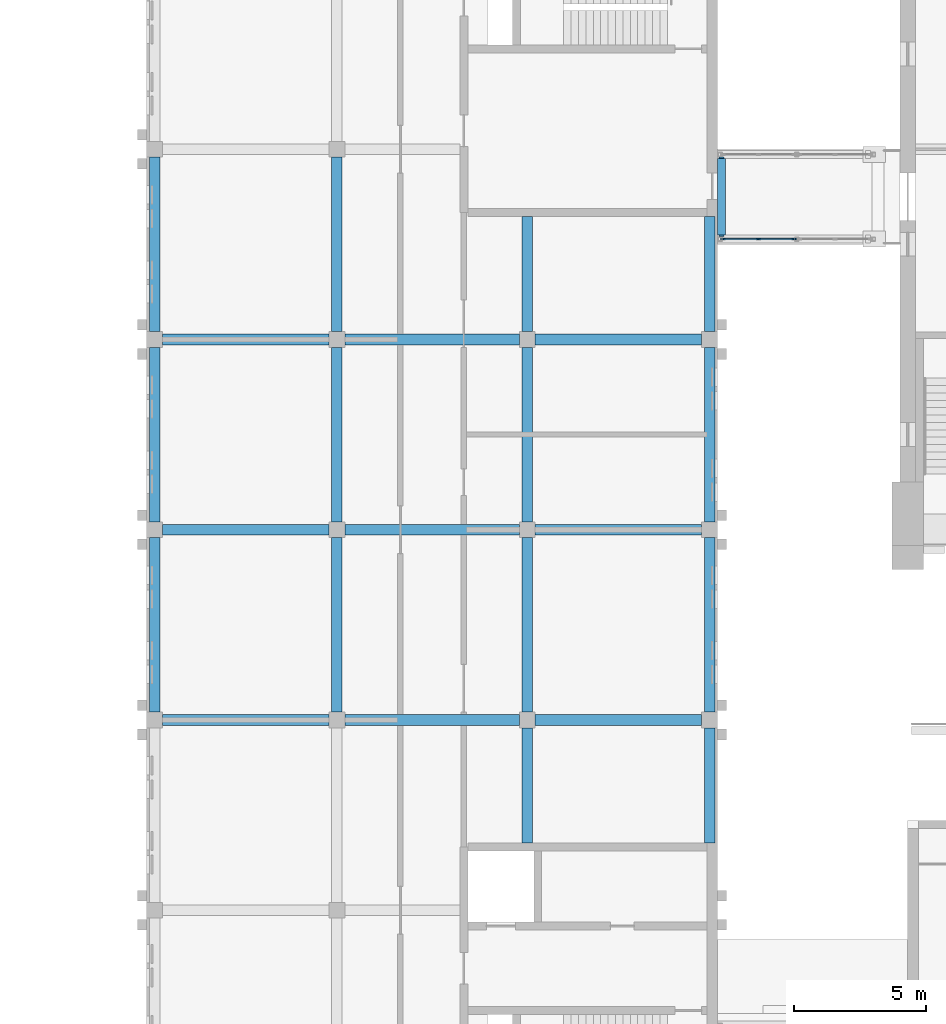
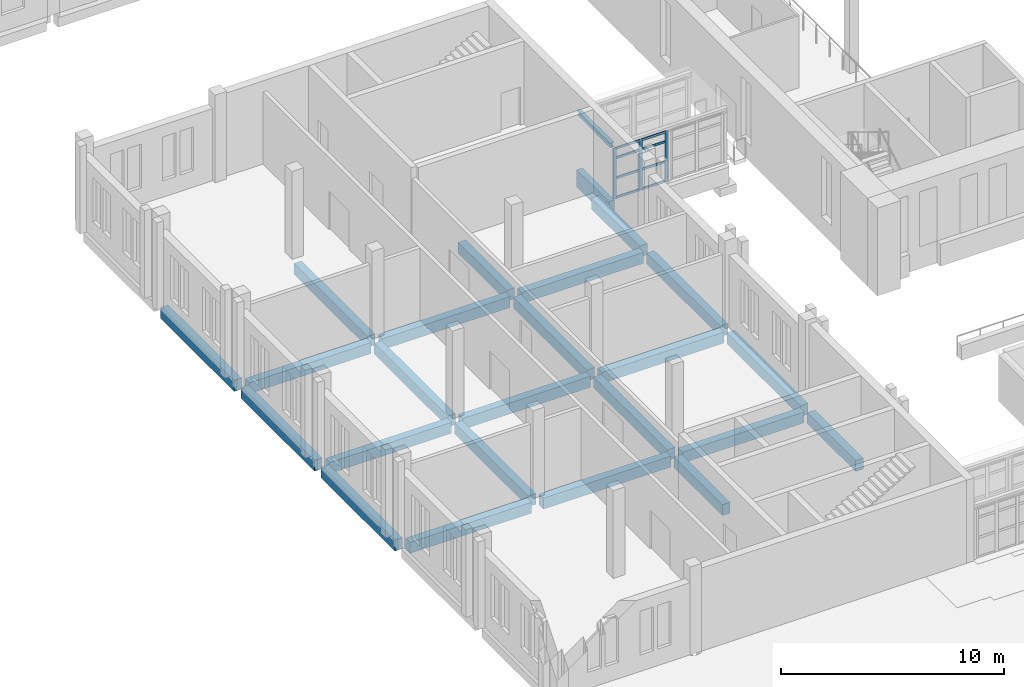
# One storey, part 33 of 131: 25 beams, 11 members, 1 element without a shape of its own.
"""IFC4 building model written with IfcOpenShell, lengths in metres."""

import ifcopenshell
import ifcopenshell.guid

model = None  # the IFC model being written
_history = None  # IfcOwnerHistory: only IFC2X3 demands one
_inside = {}  # id of a spatial element -> (the spatial element, [elements in it])
_under = {}  # id of a project, library or spatial element -> (it, [spatial elements below it])
_declared = {}  # id of a project -> (the project, [libraries it declares])
_typed = {}  # id of a type object -> (the type object, [elements of that type])
_made_of = {}  # id of a material, layer set ... -> (it, [elements and type objects made of it])


def new_model(schema):
    """Start an empty IFC model of exactly this schema.

    Asked for "IFC4X3", IfcOpenShell would pick the latest addendum, in which some entities
    have other attributes; the version numbers below select the first issue.
    IFC2X3 requires an IfcOwnerHistory on every rooted entity: one is made here for all.
    """
    global model, _history
    if schema == "IFC4X3":
        model = ifcopenshell.file(schema_version=(4, 3, 0, 0))
    else:
        model = ifcopenshell.file(schema=schema)
    _inside.clear()
    _under.clear()
    _declared.clear()
    _typed.clear()
    _made_of.clear()
    _history = None
    if model.schema == "IFC2X3":
        org = make("IfcOrganization", Name="unknown")
        user = make(
            "IfcPersonAndOrganization",
            ThePerson=make("IfcPerson", FamilyName="unknown"),
            TheOrganization=org,
        )
        app = make(
            "IfcApplication",
            ApplicationDeveloper=org,
            Version="unknown",
            ApplicationFullName="unknown",
            ApplicationIdentifier="unknown",
        )
        _history = make(
            "IfcOwnerHistory",
            OwningUser=user,
            OwningApplication=app,
            ChangeAction="ADDED",
            CreationDate=0,
        )
    return model


def make(cls, **values):
    """One entity of the class cls with the attributes given. An attribute that is None is left unset."""
    return model.create_entity(
        cls, **{name: value for name, value in values.items() if value is not None}
    )


def rooted(cls, **values):
    """An entity with a GlobalId (a new one), such as an element, a storey or a relation."""
    return make(cls, GlobalId=ifcopenshell.guid.new(), OwnerHistory=_history, **values)


def si_unit(unit_type, name, prefix=None):
    """IfcSIUnit, for example si_unit("LENGTHUNIT", "METRE", prefix="MILLI")."""
    return make("IfcSIUnit", UnitType=unit_type, Prefix=prefix, Name=name)


def assignment(units):
    """IfcUnitAssignment: the units of a project."""
    return None if units is None else make("IfcUnitAssignment", Units=units)


def point(xyz):
    """IfcCartesianPoint."""
    return None if xyz is None else make("IfcCartesianPoint", Coordinates=xyz)


def direction(xyz):
    """IfcDirection."""
    return None if xyz is None else make("IfcDirection", DirectionRatios=xyz)


def frame(location, z_axis=None, x_axis=None):
    """IfcAxis2Placement3D, a coordinate frame: its origin and axes. An axis left out is left unset."""
    return make(
        "IfcAxis2Placement3D",
        Location=point(location),
        Axis=direction(z_axis),
        RefDirection=direction(x_axis),
    )


def frame_2d(location, x_axis=None):
    """IfcAxis2Placement2D, a coordinate frame in the plane: its origin and x axis."""
    return make(
        "IfcAxis2Placement2D", Location=point(location), RefDirection=direction(x_axis)
    )


def origin():
    """The frame at (0, 0, 0) with its axes left unset."""
    return frame((0.0, 0.0, 0.0))


def origin_2d():
    """The frame at (0, 0) in the plane with its x axis left unset."""
    return frame_2d((0.0, 0.0))


def place(relative_to, where):
    """IfcLocalPlacement: puts the frame where relative to a parent placement (None: the world)."""
    return make(
        "IfcLocalPlacement", PlacementRelTo=relative_to, RelativePlacement=where
    )


def context(
    kind, dimensions, precision=None, world=None, true_north=None, identifier=None
):
    """IfcGeometricRepresentationContext, for example the 3D "Model" context."""
    return make(
        "IfcGeometricRepresentationContext",
        ContextIdentifier=identifier,
        ContextType=kind,
        CoordinateSpaceDimension=dimensions,
        Precision=precision,
        WorldCoordinateSystem=world,
        TrueNorth=true_north,
    )


def subcontext(parent, identifier, kind, view, scale=None):
    """IfcGeometricRepresentationSubContext, for example "Body" below "Model"."""
    return make(
        "IfcGeometricRepresentationSubContext",
        ContextIdentifier=identifier,
        ContextType=kind,
        ParentContext=parent,
        TargetScale=scale,
        TargetView=view,
    )


def project(units=None, contexts=None):
    """IfcProject with its units and contexts."""
    return rooted(
        "IfcProject",
        Name="project",
        RepresentationContexts=contexts,
        UnitsInContext=assignment(units),
    )


def spatial(cls, under=None, at=None, **own):
    """A site, building, storey or space (cls), placed at a placement, below another one or the project."""
    s = rooted(cls, ObjectPlacement=at, **own)
    if under is not None:
        _under.setdefault(under.id(), (under, []))[1].append(s)
    return s


def profile(cls, at=None, kind="AREA", **sizes):
    """A parametric profile (cls). Its sizes go by their IFC names, for example OverallWidth=200.0."""
    return make(cls, ProfileType=kind, Position=at, **sizes)


def rectangle(**sizes):
    """IfcRectangleProfileDef."""
    return profile("IfcRectangleProfileDef", **sizes)


def i_section(**sizes):
    """IfcIShapeProfileDef."""
    return profile("IfcIShapeProfileDef", **sizes)


def extrude(swept, where, along, depth):
    """IfcExtrudedAreaSolid: the profile swept, set in the frame where, extruded along a direction by depth."""
    return make(
        "IfcExtrudedAreaSolid",
        SweptArea=swept,
        Position=where,
        ExtrudedDirection=direction(along),
        Depth=depth,
    )


def shape(context_of_items, identifier, shape_type, items):
    """IfcShapeRepresentation: the items that make up one representation, for example the "Body"."""
    return make(
        "IfcShapeRepresentation",
        ContextOfItems=context_of_items,
        RepresentationIdentifier=identifier,
        RepresentationType=shape_type,
        Items=items,
    )


def material(Name=None, Category=None):
    """IfcMaterial."""
    return make("IfcMaterial", Name=Name, Category=Category)


def layer(
    of_material, thickness, ventilated=None, Name=None, Category=None, Priority=None
):
    """IfcMaterialLayer: one layer of a wall or slab, of a material (None: an air gap)."""
    return make(
        "IfcMaterialLayer",
        Material=of_material,
        LayerThickness=thickness,
        IsVentilated=ventilated,
        Name=Name,
        Category=Category,
        Priority=Priority,
    )


def layer_set(layers, Name=None):
    """IfcMaterialLayerSet."""
    return make("IfcMaterialLayerSet", MaterialLayers=layers, LayerSetName=Name)


def material_profile(
    of_material, cross_section, Name=None, Category=None, Priority=None
):
    """IfcMaterialProfile: a cross section and its material."""
    return make(
        "IfcMaterialProfile",
        Name=Name,
        Material=of_material,
        Profile=cross_section,
        Priority=Priority,
        Category=Category,
    )


def profile_set(profiles, Name=None, composite=None):
    """IfcMaterialProfileSet."""
    return make(
        "IfcMaterialProfileSet",
        Name=Name,
        MaterialProfiles=profiles,
        CompositeProfile=composite,
    )


def made_of(thing, what):
    """Note that an element or type object is made of a material, layer set ...; save() writes the relation."""
    if what is not None:
        _made_of.setdefault(what.id(), (what, []))[1].append(thing)
    return thing


def type_object(cls, material=None, **own):
    """A type object (cls), such as IfcWallType, which elements share."""
    return made_of(rooted(cls, **own), material)


def element(
    cls,
    number,
    at=None,
    inside=None,
    cuts=None,
    type_object=None,
    material=None,
    context=None,
    identifier="Body",
    shape_type=None,
    held_by="IfcProductDefinitionShape",
    body=None,
    shapes=None,
    **own,
):
    """One element of the class cls, such as IfcWall. Its Tag is "e" and its number.

    at: its placement. inside: the storey or other place that contains it. cuts: it is an
    opening in that element (IfcRelVoidsElement). A single representation is given by context,
    identifier, shape_type and body (its items); several are given by shapes. held_by: the class
    of the entity that holds the representations. save() writes the other relations.
    """
    e = rooted(cls, Tag="e%d" % number, ObjectPlacement=at, **own)
    if body is not None:
        shapes = [shape(context, identifier, shape_type, body)]
    if shapes is not None:
        e.Representation = make(held_by, Representations=shapes)
    if inside is not None:
        _inside.setdefault(inside.id(), (inside, []))[1].append(e)
    if cuts is not None:
        rooted(
            "IfcRelVoidsElement", RelatingBuildingElement=cuts, RelatedOpeningElement=e
        )
    if type_object is not None:
        _typed.setdefault(type_object.id(), (type_object, []))[1].append(e)
    return made_of(e, material)


def aggregate(whole, parts):
    """IfcRelAggregates: a whole, such as a stair, and the parts it consists of."""
    return rooted("IfcRelAggregates", RelatingObject=whole, RelatedObjects=parts)


def save(model, path):
    """Write the relations noted so far, then the file.

    IfcRelAggregates (storeys below a building ...), IfcRelContainedInSpatialStructure (elements
    in a storey), IfcRelDefinesByType, IfcRelAssociatesMaterial and IfcRelDeclares: one each for
    every whole, place, type object, material and project.
    """
    for whole, parts in _under.values():
        aggregate(whole, parts)
    for where, things in _inside.values():
        rooted(
            "IfcRelContainedInSpatialStructure",
            RelatedElements=things,
            RelatingStructure=where,
        )
    for kind, things in _typed.values():
        rooted("IfcRelDefinesByType", RelatedObjects=things, RelatingType=kind)
    for what, things in _made_of.values():
        rooted("IfcRelAssociatesMaterial", RelatedObjects=things, RelatingMaterial=what)
    for by, libraries in _declared.values():
        rooted("IfcRelDeclares", RelatingContext=by, RelatedDefinitions=libraries)
    model.write(path)


model = new_model("IFC4")

# Units and contexts
model_context = context("Model", 3, precision=1e-05, world=origin(), true_north=direction((0.0, 1.0)))
body_context = subcontext(model_context, "Body", "Model", "MODEL_VIEW")
ifc_project = project(units=[si_unit("LENGTHUNIT", "METRE"), si_unit("AREAUNIT", "SQUARE_METRE"), si_unit("VOLUMEUNIT", "CUBIC_METRE"), si_unit("PLANEANGLEUNIT", "RADIAN"), si_unit("MASSUNIT", "GRAM", prefix="KILO")], contexts=[model_context])

# Site, building, storey
site_placement = place(None, origin())
site = spatial("IfcSite", under=ifc_project, at=site_placement, CompositionType="ELEMENT")
building_placement = place(site_placement, origin())
building = spatial("IfcBuilding", under=site, at=building_placement, Name="Alderwick Market Hall", CompositionType="ELEMENT")
storey_placement = place(building_placement, frame((0.0, 0.0, 4.800048828125)))
storey = spatial("IfcBuildingStorey", under=building, at=storey_placement, Name="L00", CompositionType="ELEMENT", Elevation=4.800048828125)

# Beams
ifc_material_1 = material(Name="Concrete 5000 psi (f'c 35 MPa)", Category="concrete")
ifc_material_profile_1 = material_profile(ifc_material_1, rectangle(XDim=0.39990234375, YDim=0.60009765625, at=origin_2d()), Name="B RC Beam 400x600")
ifc_profile_set_1 = profile_set([ifc_material_profile_1], Name="Concrete 5000 psi (f'c 35 MPa)")
beam_type_1 = type_object("IfcBeamType", Name="B RC Beam 400x600", PredefinedType="BEAM", material=ifc_profile_set_1)
beam_1_placement = place(storey_placement, frame((22.199951171875, 43.199951171875, -0.550048828125), z_axis=(1.0, 0.0, 0.0), x_axis=(0.0, 1.0, 0.0)))
element("IfcBeam", 1, at=beam_1_placement, inside=storey, type_object=beam_type_1, Name="B.S.beam.L00.u144-0006", PredefinedType="BEAM", context=body_context, shape_type="SweptSolid", body=[
    extrude(rectangle(XDim=0.39990234375, YDim=0.60009765625, at=origin_2d()), origin(), (0.0, 0.0, 1.0), 6.300048828125),
])
beam_2_placement = place(storey_placement, frame((29.10009765625, 43.199951171875, -0.550048828125), z_axis=(1.0, 0.0, 0.0), x_axis=(0.0, 1.0, 0.0)))
element("IfcBeam", 2, at=beam_2_placement, inside=storey, type_object=beam_type_1, Name="B.S.beam.L00.u144-0075", PredefinedType="BEAM", context=body_context, shape_type="SweptSolid", body=[
    extrude(rectangle(XDim=0.39990234375, YDim=0.60009765625, at=origin_2d()), origin(), (0.0, 0.0, 1.0), 6.599853515625),
])
for number, where, z_axis, x_axis, name in (
    (3, (36.300048828125, 43.199951171875, -0.550048828125), (1.0, 0.0, 0.0), (0.0, 1.0, 0.0), "B.S.beam.L00.u144-0147"),
    (4, (22.199951171875, 50.39990234375, -0.550048828125), (1.0, 0.0, 0.0), (0.0, 1.0, 0.0), "B.S.beam.L00.u216-0006"),
):
    element("IfcBeam", number, at=place(storey_placement, frame(where, z_axis=z_axis, x_axis=x_axis)), inside=storey, type_object=beam_type_1, Name=name, PredefinedType="BEAM", context=body_context, shape_type="SweptSolid", body=[
        extrude(rectangle(XDim=0.39990234375, YDim=0.60009765625, at=origin_2d()), origin(), (0.0, 0.0, 1.0), 6.300048828125),
    ])
beam_3_placement = place(storey_placement, frame((29.10009765625, 50.39990234375, -0.550048828125), z_axis=(1.0, 0.0, 0.0), x_axis=(0.0, 1.0, 0.0)))
element("IfcBeam", 5, at=beam_3_placement, inside=storey, type_object=beam_type_1, Name="B.S.beam.L00.u216-0075", PredefinedType="BEAM", context=body_context, shape_type="SweptSolid", body=[
    extrude(rectangle(XDim=0.39990234375, YDim=0.60009765625, at=origin_2d()), origin(), (0.0, 0.0, 1.0), 6.599853515625),
])
for number, where, z_axis, x_axis, name in (
    (6, (36.300048828125, 50.39990234375, -0.550048828125), (1.0, 0.0, 0.0), (0.0, 1.0, 0.0), "B.S.beam.L00.u216-0147"),
    (7, (22.199951171875, 57.60009765625, -0.550048828125), (1.0, 0.0, 0.0), (0.0, 1.0, 0.0), "B.S.beam.L00.u288-0006"),
):
    element("IfcBeam", number, at=place(storey_placement, frame(where, z_axis=z_axis, x_axis=x_axis)), inside=storey, type_object=beam_type_1, Name=name, PredefinedType="BEAM", context=body_context, shape_type="SweptSolid", body=[
        extrude(rectangle(XDim=0.39990234375, YDim=0.60009765625, at=origin_2d()), origin(), (0.0, 0.0, 1.0), 6.300048828125),
    ])
beam_4_placement = place(storey_placement, frame((29.10009765625, 57.60009765625, -0.550048828125), z_axis=(1.0, 0.0, 0.0), x_axis=(0.0, 1.0, 0.0)))
element("IfcBeam", 8, at=beam_4_placement, inside=storey, type_object=beam_type_1, Name="B.S.beam.L00.u288-0075", PredefinedType="BEAM", context=body_context, shape_type="SweptSolid", body=[
    extrude(rectangle(XDim=0.39990234375, YDim=0.60009765625, at=origin_2d()), origin(), (0.0, 0.0, 1.0), 6.599853515625),
])
beam_5_placement = place(storey_placement, frame((36.300048828125, 57.60009765625, -0.550048828125), z_axis=(1.0, 0.0, 0.0), x_axis=(0.0, 1.0, 0.0)))
element("IfcBeam", 9, at=beam_5_placement, inside=storey, type_object=beam_type_1, Name="B.S.beam.L00.u288-0147", PredefinedType="BEAM", context=body_context, shape_type="SweptSolid", body=[
    extrude(rectangle(XDim=0.39990234375, YDim=0.60009765625, at=origin_2d()), origin(), (0.0, 0.0, 1.0), 6.300048828125),
])
for number, where, z_axis, x_axis, name in (
    (10, (21.89990234375, 43.5, -0.550048828125), (0.0, 1.0, 0.0), (-1.0, 0.0, 0.0), "B.S.beam.L00.w003-0147"),
    (11, (21.89990234375, 50.699951171875, -0.550048828125), (0.0, 1.0, 0.0), (-1.0, 0.0, 0.0), "B.S.beam.L00.w003-0219"),
    (12, (21.89990234375, 57.89990234375, -0.550048828125), (0.0, 1.0, 0.0), (-1.0, 0.0, 0.0), "B.S.beam.L00.w003-0291"),
    (13, (28.800048828125, 43.5, -0.550048828125), (0.0, 1.0, 0.0), (-1.0, 0.0, 0.0), "B.S.beam.L00.w072-0147"),
    (14, (28.800048828125, 50.699951171875, -0.550048828125), (0.0, 1.0, 0.0), (-1.0, 0.0, 0.0), "B.S.beam.L00.w072-0219"),
    (15, (28.800048828125, 57.89990234375, -0.550048828125), (0.0, 1.0, 0.0), (-1.0, 0.0, 0.0), "B.S.beam.L00.w072-0291"),
):
    element("IfcBeam", number, at=place(storey_placement, frame(where, z_axis=z_axis, x_axis=x_axis)), inside=storey, type_object=beam_type_1, Name=name, PredefinedType="BEAM", context=body_context, shape_type="SweptSolid", body=[
        extrude(rectangle(XDim=0.39990234375, YDim=0.60009765625, at=origin_2d()), origin(), (0.0, 0.0, 1.0), 6.60009765625),
    ])
beam_6_placement = place(storey_placement, frame((36.0, 38.550048828125, -0.550048828125), z_axis=(0.0, 1.0, 0.0), x_axis=(-1.0, 0.0, 0.0)))
element("IfcBeam", 16, at=beam_6_placement, inside=storey, type_object=beam_type_1, Name="B.S.beam.L00.w144-0098", PredefinedType="BEAM", context=body_context, shape_type="SweptSolid", body=[
    extrude(rectangle(XDim=0.39990234375, YDim=0.60009765625, at=origin_2d()), origin(), (0.0, 0.0, 1.0), 4.349853515625),
])
for number, where, z_axis, x_axis, name in (
    (17, (36.0, 43.5, -0.550048828125), (0.0, 1.0, 0.0), (-1.0, 0.0, 0.0), "B.S.beam.L00.w144-0147"),
    (18, (36.0, 50.699951171875, -0.550048828125), (0.0, 1.0, 0.0), (-1.0, 0.0, 0.0), "B.S.beam.L00.w144-0219"),
):
    element("IfcBeam", number, at=place(storey_placement, frame(where, z_axis=z_axis, x_axis=x_axis)), inside=storey, type_object=beam_type_1, Name=name, PredefinedType="BEAM", context=body_context, shape_type="SweptSolid", body=[
        extrude(rectangle(XDim=0.39990234375, YDim=0.60009765625, at=origin_2d()), origin(), (0.0, 0.0, 1.0), 6.60009765625),
    ])
beam_7_placement = place(storey_placement, frame((36.0, 57.89990234375, -0.550048828125), z_axis=(0.0, 1.0, 0.0), x_axis=(-1.0, 0.0, 0.0)))
element("IfcBeam", 19, at=beam_7_placement, inside=storey, type_object=beam_type_1, Name="B.S.beam.L00.w144-0291", PredefinedType="BEAM", context=body_context, shape_type="SweptSolid", body=[
    extrude(rectangle(XDim=0.39990234375, YDim=0.60009765625, at=origin_2d()), origin(), (0.0, 0.0, 1.0), 4.35009765625),
])
beam_8_placement = place(storey_placement, frame((42.89990234375, 38.550048828125, -0.550048828125), z_axis=(0.0, 1.0, 0.0), x_axis=(-1.0, 0.0, 0.0)))
element("IfcBeam", 20, at=beam_8_placement, inside=storey, type_object=beam_type_1, Name="B.S.beam.L00.w213-0098", PredefinedType="BEAM", context=body_context, shape_type="SweptSolid", body=[
    extrude(rectangle(XDim=0.39990234375, YDim=0.60009765625, at=origin_2d()), origin(), (0.0, 0.0, 1.0), 4.349853515625),
])
for number, where, z_axis, x_axis, name in (
    (21, (42.89990234375, 43.5, -0.550048828125), (0.0, 1.0, 0.0), (-1.0, 0.0, 0.0), "B.S.beam.L00.w213-0147"),
    (22, (42.89990234375, 50.699951171875, -0.550048828125), (0.0, 1.0, 0.0), (-1.0, 0.0, 0.0), "B.S.beam.L00.w213-0219"),
):
    element("IfcBeam", number, at=place(storey_placement, frame(where, z_axis=z_axis, x_axis=x_axis)), inside=storey, type_object=beam_type_1, Name=name, PredefinedType="BEAM", context=body_context, shape_type="SweptSolid", body=[
        extrude(rectangle(XDim=0.39990234375, YDim=0.60009765625, at=origin_2d()), origin(), (0.0, 0.0, 1.0), 6.60009765625),
    ])
beam_9_placement = place(storey_placement, frame((42.89990234375, 57.89990234375, -0.550048828125), z_axis=(0.0, 1.0, 0.0), x_axis=(-1.0, 0.0, 0.0)))
element("IfcBeam", 23, at=beam_9_placement, inside=storey, type_object=beam_type_1, Name="B.S.beam.L00.w213-0291", PredefinedType="BEAM", context=body_context, shape_type="SweptSolid", body=[
    extrude(rectangle(XDim=0.39990234375, YDim=0.60009765625, at=origin_2d()), origin(), (0.0, 0.0, 1.0), 4.35009765625),
])

# Curtain wall, members
ifc_material_2 = material(Name="Aluminium frame", Category="aluminium")
ifc_layer = layer(ifc_material_2, 0.10009765625)
ifc_layer_set = layer_set([ifc_layer], Name="Aluminium frame")
curtain_wall_type = type_object("IfcCurtainWallType", Name="P Curtain Wall 100", PredefinedType="NOTDEFINED", material=ifc_layer_set)
curtain_wall_placement = place(storey_placement, origin())
curtain_wall = element("IfcCurtainWall", 24, at=curtain_wall_placement, inside=storey, type_object=curtain_wall_type, Name="P.P6.cw.a0", PredefinedType="NOTDEFINED")
ifc_material_profile_2 = material_profile(ifc_material_2, rectangle(XDim=0.06005859375, YDim=0.159912109375, at=origin_2d()), Name="P Mullion 60x160")
ifc_profile_set_2 = profile_set([ifc_material_profile_2], Name="Aluminium frame")
member_type_1 = type_object("IfcMemberType", Name="P Mullion 60x160", PredefinedType="MULLION", material=ifc_profile_set_2)
member_1_placement = place(storey_placement, frame((43.406005859375, 61.39990234375, 0.0), z_axis=(0.0, 0.0, 1.0), x_axis=(0.0, 1.0, 0.0)))
member_1 = element("IfcMember", 25, at=member_1_placement, type_object=member_type_1, Name="P-CW6a0 mullion 1", PredefinedType="MULLION", context=body_context, shape_type="SweptSolid", body=[
    extrude(rectangle(XDim=0.06005859375, YDim=0.159912109375, at=origin_2d()), origin(), (0.0, 0.0, 1.0), 2.7529296875),
])
member_2_placement = place(storey_placement, frame((44.75, 61.39990234375, 0.0), z_axis=(0.0, 0.0, 1.0), x_axis=(0.0, 1.0, 0.0)))
member_2 = element("IfcMember", 26, at=member_2_placement, type_object=member_type_1, Name="P-CW6a0 mullion 2", PredefinedType="MULLION", context=body_context, shape_type="SweptSolid", body=[
    extrude(rectangle(XDim=0.06005859375, YDim=0.159912109375, at=origin_2d()), origin(), (0.0, 0.0, 1.0), 2.7529296875),
])
member_3_placement = place(storey_placement, frame((46.093994140625, 61.39990234375, 0.0), z_axis=(0.0, 0.0, 1.0), x_axis=(0.0, 1.0, 0.0)))
member_3 = element("IfcMember", 27, at=member_3_placement, type_object=member_type_1, Name="P-CW6a0 mullion 3", PredefinedType="MULLION", context=body_context, shape_type="SweptSolid", body=[
    extrude(rectangle(XDim=0.06005859375, YDim=0.159912109375, at=origin_2d()), origin(), (0.0, 0.0, 1.0), 2.7529296875),
])

# Beams
ifc_material_profile_3 = material_profile(ifc_material_1, rectangle(XDim=0.300048828125, YDim=0.949951171875, at=origin_2d()), Name="P RC Edge Girder 300x950")
ifc_profile_set_3 = profile_set([ifc_material_profile_3], Name="Concrete 5000 psi (f'c 35 MPa)")
beam_type_2 = type_object("IfcBeamType", Name="P RC Edge Girder 300x950", PredefinedType="BEAM", material=ifc_profile_set_3)
beam_10_placement = place(storey_placement, frame((43.35009765625, 61.550048828125, -0.675048828125), z_axis=(0.0, 1.0, 0.0), x_axis=(-1.0, 0.0, 0.0)))
element("IfcBeam", 28, at=beam_10_placement, inside=storey, type_object=beam_type_2, Name="Passage tie girder", PredefinedType="BEAM", context=body_context, shape_type="SweptSolid", body=[
    extrude(rectangle(XDim=0.300048828125, YDim=0.949951171875, at=origin_2d()), origin(), (0.0, 0.0, 1.0), 2.89990234375),
])
ifc_material_3 = material(Name="Steel ASTM A992 Grade 50", Category="steel")
ifc_material_profile_4 = material_profile(ifc_material_3, i_section(OverallWidth=0.201904296875, OverallDepth=0.2470703125, WebThickness=0.00732421875, FlangeThickness=0.010986328125, at=origin_2d()), Name="W250x49")
ifc_profile_set_4 = profile_set([ifc_material_profile_4], Name="Steel ASTM A992 Grade 50")
beam_type_3 = type_object("IfcBeamType", Name="P Roof Beam W250x49", PredefinedType="BEAM", material=ifc_profile_set_4)
beam_11_placement = place(storey_placement, frame((43.35009765625, 61.5009765625, 2.87646484375), z_axis=(0.0, 1.0, 0.0), x_axis=(-1.0, 0.0, 0.0)))
element("IfcBeam", 29, at=beam_11_placement, inside=storey, type_object=beam_type_3, Name="Passage tie beam", PredefinedType="BEAM", context=body_context, shape_type="SweptSolid", body=[
    extrude(i_section(OverallWidth=0.201904296875, OverallDepth=0.2470703125, WebThickness=0.00732421875, FlangeThickness=0.010986328125, at=origin_2d()), origin(), (0.0, 0.0, 1.0), 2.998046875),
])

# Member
ifc_material_profile_5 = material_profile(ifc_material_2, rectangle(XDim=0.06005859375, YDim=0.1201171875, at=origin_2d()), Name="P Transom 60x120")
ifc_profile_set_5 = profile_set([ifc_material_profile_5], Name="Aluminium frame")
member_type_2 = type_object("IfcMemberType", Name="P Transom 60x120", PredefinedType="USERDEFINED", material=ifc_profile_set_5)
member_4_placement = place(storey_placement, frame((43.43603515625, 61.39990234375, 0.030029296875), z_axis=(1.0, 0.0, 0.0), x_axis=(0.0, 1.0, 0.0)))
member_4 = element("IfcMember", 30, at=member_4_placement, type_object=member_type_2, Name="P-CW6a0 transom 1.1", ObjectType="TRANSOM", PredefinedType="USERDEFINED", context=body_context, shape_type="SweptSolid", body=[
    extrude(rectangle(XDim=0.06005859375, YDim=0.1201171875, at=origin_2d()), origin(), (0.0, 0.0, 1.0), 1.283935546875),
])

member_5_placement = place(storey_placement, frame((43.43603515625, 61.39990234375, 1.099853515625), z_axis=(1.0, 0.0, 0.0), x_axis=(0.0, 1.0, 0.0)))
member_5 = element("IfcMember", 31, at=member_5_placement, type_object=member_type_2, Name="P-CW6a0 transom 1.2", ObjectType="TRANSOM", PredefinedType="USERDEFINED", context=body_context, shape_type="SweptSolid", body=[
    extrude(rectangle(XDim=0.06005859375, YDim=0.1201171875, at=origin_2d()), origin(), (0.0, 0.0, 1.0), 1.283935546875),
])

member_6_placement = place(storey_placement, frame((43.43603515625, 61.39990234375, 2.199951171875), z_axis=(1.0, 0.0, 0.0), x_axis=(0.0, 1.0, 0.0)))
member_6 = element("IfcMember", 32, at=member_6_placement, type_object=member_type_2, Name="P-CW6a0 transom 1.3", ObjectType="TRANSOM", PredefinedType="USERDEFINED", context=body_context, shape_type="SweptSolid", body=[
    extrude(rectangle(XDim=0.06005859375, YDim=0.1201171875, at=origin_2d()), origin(), (0.0, 0.0, 1.0), 1.283935546875),
])

member_7_placement = place(storey_placement, frame((43.43603515625, 61.39990234375, 2.722900390625), z_axis=(1.0, 0.0, 0.0), x_axis=(0.0, 1.0, 0.0)))
member_7 = element("IfcMember", 33, at=member_7_placement, type_object=member_type_2, Name="P-CW6a0 transom 1.4", ObjectType="TRANSOM", PredefinedType="USERDEFINED", context=body_context, shape_type="SweptSolid", body=[
    extrude(rectangle(XDim=0.06005859375, YDim=0.1201171875, at=origin_2d()), origin(), (0.0, 0.0, 1.0), 1.283935546875),
])

member_8_placement = place(storey_placement, frame((44.780029296875, 61.39990234375, 0.030029296875), z_axis=(1.0, 0.0, 0.0), x_axis=(0.0, 1.0, 0.0)))
member_8 = element("IfcMember", 34, at=member_8_placement, type_object=member_type_2, Name="P-CW6a0 transom 2.1", ObjectType="TRANSOM", PredefinedType="USERDEFINED", context=body_context, shape_type="SweptSolid", body=[
    extrude(rectangle(XDim=0.06005859375, YDim=0.1201171875, at=origin_2d()), origin(), (0.0, 0.0, 1.0), 1.283935546875),
])

member_9_placement = place(storey_placement, frame((44.780029296875, 61.39990234375, 1.099853515625), z_axis=(1.0, 0.0, 0.0), x_axis=(0.0, 1.0, 0.0)))
member_9 = element("IfcMember", 35, at=member_9_placement, type_object=member_type_2, Name="P-CW6a0 transom 2.2", ObjectType="TRANSOM", PredefinedType="USERDEFINED", context=body_context, shape_type="SweptSolid", body=[
    extrude(rectangle(XDim=0.06005859375, YDim=0.1201171875, at=origin_2d()), origin(), (0.0, 0.0, 1.0), 1.283935546875),
])

member_10_placement = place(storey_placement, frame((44.780029296875, 61.39990234375, 2.199951171875), z_axis=(1.0, 0.0, 0.0), x_axis=(0.0, 1.0, 0.0)))
member_10 = element("IfcMember", 36, at=member_10_placement, type_object=member_type_2, Name="P-CW6a0 transom 2.3", ObjectType="TRANSOM", PredefinedType="USERDEFINED", context=body_context, shape_type="SweptSolid", body=[
    extrude(rectangle(XDim=0.06005859375, YDim=0.1201171875, at=origin_2d()), origin(), (0.0, 0.0, 1.0), 1.283935546875),
])

member_11_placement = place(storey_placement, frame((44.780029296875, 61.39990234375, 2.722900390625), z_axis=(1.0, 0.0, 0.0), x_axis=(0.0, 1.0, 0.0)))
member_11 = element("IfcMember", 37, at=member_11_placement, type_object=member_type_2, Name="P-CW6a0 transom 2.4", ObjectType="TRANSOM", PredefinedType="USERDEFINED", context=body_context, shape_type="SweptSolid", body=[
    extrude(rectangle(XDim=0.06005859375, YDim=0.1201171875, at=origin_2d()), origin(), (0.0, 0.0, 1.0), 1.283935546875),
])

aggregate(curtain_wall, [member_1, member_2, member_3, member_4, member_5, member_6, member_7, member_8, member_9, member_10, member_11])

save(model, "model.ifc")
